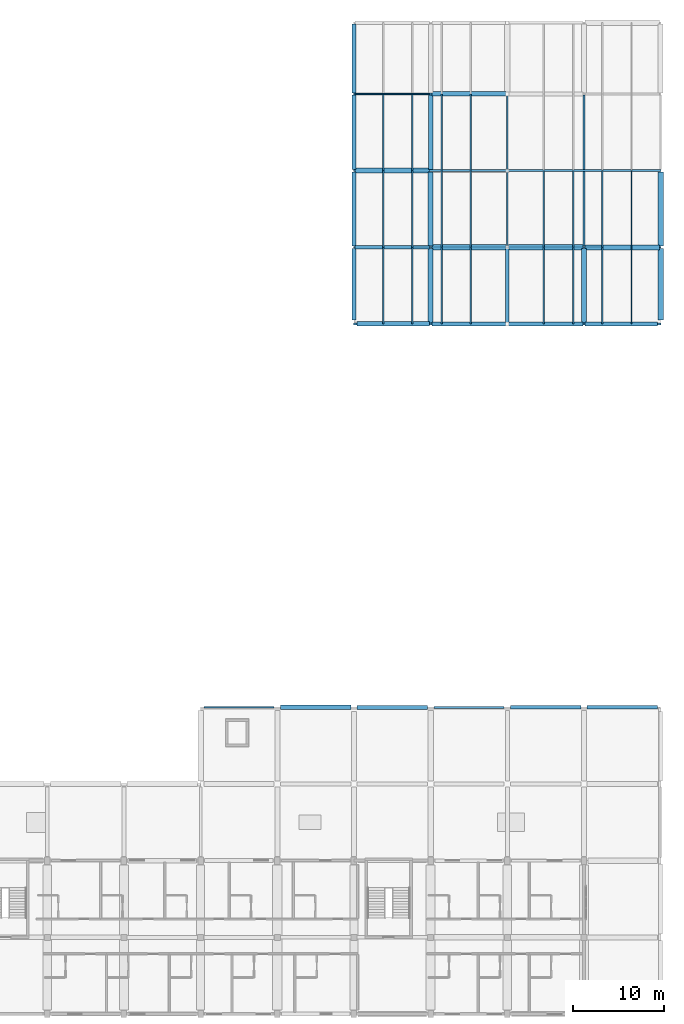
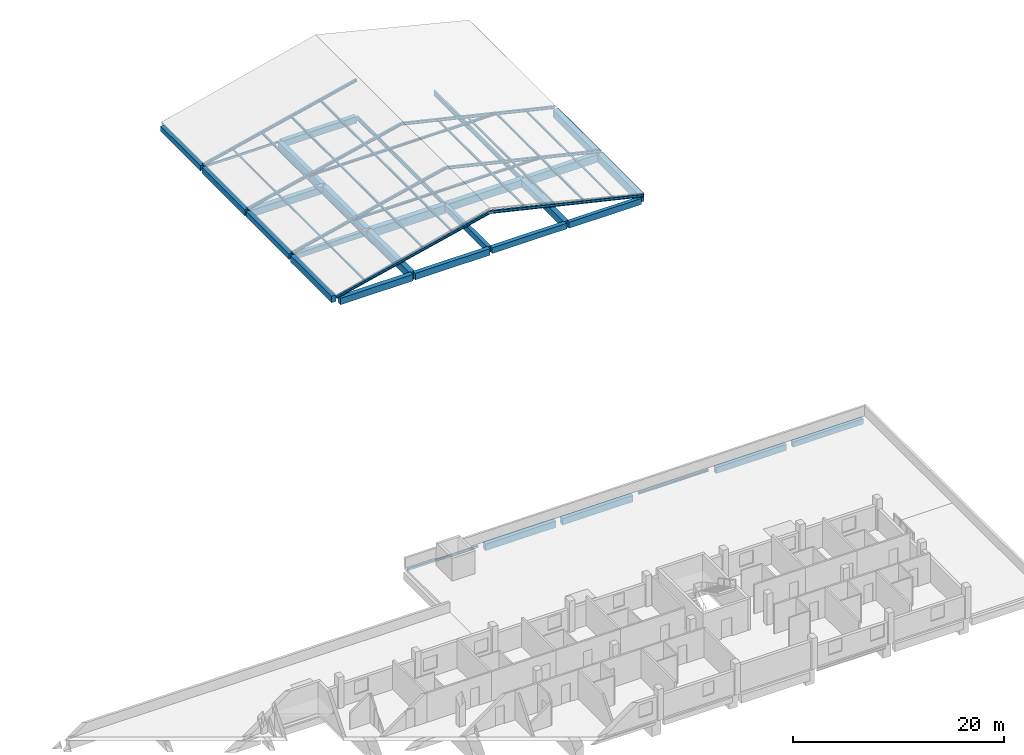
# One storey, part 10 of 42: 30 beams, 29 members.
"""IFC4 building model written with IfcOpenShell, lengths in metres."""

import ifcopenshell
import ifcopenshell.guid

model = None  # the IFC model being written
_history = None  # IfcOwnerHistory: only IFC2X3 demands one
_inside = {}  # id of a spatial element -> (the spatial element, [elements in it])
_under = {}  # id of a project, library or spatial element -> (it, [spatial elements below it])
_declared = {}  # id of a project -> (the project, [libraries it declares])
_typed = {}  # id of a type object -> (the type object, [elements of that type])
_made_of = {}  # id of a material, layer set ... -> (it, [elements and type objects made of it])


def new_model(schema):
    """Start an empty IFC model of exactly this schema.

    Asked for "IFC4X3", IfcOpenShell would pick the latest addendum, in which some entities
    have other attributes; the version numbers below select the first issue.
    IFC2X3 requires an IfcOwnerHistory on every rooted entity: one is made here for all.
    """
    global model, _history
    if schema == "IFC4X3":
        model = ifcopenshell.file(schema_version=(4, 3, 0, 0))
    else:
        model = ifcopenshell.file(schema=schema)
    _inside.clear()
    _under.clear()
    _declared.clear()
    _typed.clear()
    _made_of.clear()
    _history = None
    if model.schema == "IFC2X3":
        org = make("IfcOrganization", Name="unknown")
        user = make(
            "IfcPersonAndOrganization",
            ThePerson=make("IfcPerson", FamilyName="unknown"),
            TheOrganization=org,
        )
        app = make(
            "IfcApplication",
            ApplicationDeveloper=org,
            Version="unknown",
            ApplicationFullName="unknown",
            ApplicationIdentifier="unknown",
        )
        _history = make(
            "IfcOwnerHistory",
            OwningUser=user,
            OwningApplication=app,
            ChangeAction="ADDED",
            CreationDate=0,
        )
    return model


def make(cls, **values):
    """One entity of the class cls with the attributes given. An attribute that is None is left unset."""
    return model.create_entity(
        cls, **{name: value for name, value in values.items() if value is not None}
    )


def rooted(cls, **values):
    """An entity with a GlobalId (a new one), such as an element, a storey or a relation."""
    return make(cls, GlobalId=ifcopenshell.guid.new(), OwnerHistory=_history, **values)


def si_unit(unit_type, name, prefix=None):
    """IfcSIUnit, for example si_unit("LENGTHUNIT", "METRE", prefix="MILLI")."""
    return make("IfcSIUnit", UnitType=unit_type, Prefix=prefix, Name=name)


def derived_unit(unit_type, elements):
    """IfcDerivedUnit: a product of units, each with its exponent."""
    return make(
        "IfcDerivedUnit",
        Elements=[
            make("IfcDerivedUnitElement", Unit=unit, Exponent=power)
            for unit, power in elements
        ],
        UnitType=unit_type,
    )


def assignment(units):
    """IfcUnitAssignment: the units of a project."""
    return None if units is None else make("IfcUnitAssignment", Units=units)


def point(xyz):
    """IfcCartesianPoint."""
    return None if xyz is None else make("IfcCartesianPoint", Coordinates=xyz)


def direction(xyz):
    """IfcDirection."""
    return None if xyz is None else make("IfcDirection", DirectionRatios=xyz)


def frame(location, z_axis=None, x_axis=None):
    """IfcAxis2Placement3D, a coordinate frame: its origin and axes. An axis left out is left unset."""
    return make(
        "IfcAxis2Placement3D",
        Location=point(location),
        Axis=direction(z_axis),
        RefDirection=direction(x_axis),
    )


def frame_2d(location, x_axis=None):
    """IfcAxis2Placement2D, a coordinate frame in the plane: its origin and x axis."""
    return make(
        "IfcAxis2Placement2D", Location=point(location), RefDirection=direction(x_axis)
    )


def origin():
    """The frame at (0, 0, 0) with its axes left unset."""
    return frame((0.0, 0.0, 0.0))


def origin_2d():
    """The frame at (0, 0) in the plane with its x axis left unset."""
    return frame_2d((0.0, 0.0))


def place(relative_to, where):
    """IfcLocalPlacement: puts the frame where relative to a parent placement (None: the world)."""
    return make(
        "IfcLocalPlacement", PlacementRelTo=relative_to, RelativePlacement=where
    )


def context(
    kind, dimensions, precision=None, world=None, true_north=None, identifier=None
):
    """IfcGeometricRepresentationContext, for example the 3D "Model" context."""
    return make(
        "IfcGeometricRepresentationContext",
        ContextIdentifier=identifier,
        ContextType=kind,
        CoordinateSpaceDimension=dimensions,
        Precision=precision,
        WorldCoordinateSystem=world,
        TrueNorth=true_north,
    )


def subcontext(parent, identifier, kind, view, scale=None):
    """IfcGeometricRepresentationSubContext, for example "Body" below "Model"."""
    return make(
        "IfcGeometricRepresentationSubContext",
        ContextIdentifier=identifier,
        ContextType=kind,
        ParentContext=parent,
        TargetScale=scale,
        TargetView=view,
    )


def project(units=None, contexts=None):
    """IfcProject with its units and contexts."""
    return rooted(
        "IfcProject",
        Name="project",
        RepresentationContexts=contexts,
        UnitsInContext=assignment(units),
    )


def spatial(cls, under=None, at=None, **own):
    """A site, building, storey or space (cls), placed at a placement, below another one or the project."""
    s = rooted(cls, ObjectPlacement=at, **own)
    if under is not None:
        _under.setdefault(under.id(), (under, []))[1].append(s)
    return s


def profile(cls, at=None, kind="AREA", **sizes):
    """A parametric profile (cls). Its sizes go by their IFC names, for example OverallWidth=200.0."""
    return make(cls, ProfileType=kind, Position=at, **sizes)


def rectangle(**sizes):
    """IfcRectangleProfileDef."""
    return profile("IfcRectangleProfileDef", **sizes)


def hollow_rectangle(**sizes):
    """IfcRectangleHollowProfileDef."""
    return profile("IfcRectangleHollowProfileDef", **sizes)


def i_section(**sizes):
    """IfcIShapeProfileDef."""
    return profile("IfcIShapeProfileDef", **sizes)


def extrude(swept, where, along, depth):
    """IfcExtrudedAreaSolid: the profile swept, set in the frame where, extruded along a direction by depth."""
    return make(
        "IfcExtrudedAreaSolid",
        SweptArea=swept,
        Position=where,
        ExtrudedDirection=direction(along),
        Depth=depth,
    )


def shape(context_of_items, identifier, shape_type, items):
    """IfcShapeRepresentation: the items that make up one representation, for example the "Body"."""
    return make(
        "IfcShapeRepresentation",
        ContextOfItems=context_of_items,
        RepresentationIdentifier=identifier,
        RepresentationType=shape_type,
        Items=items,
    )


def material(Name=None, Category=None):
    """IfcMaterial."""
    return make("IfcMaterial", Name=Name, Category=Category)


def material_profile(
    of_material, cross_section, Name=None, Category=None, Priority=None
):
    """IfcMaterialProfile: a cross section and its material."""
    return make(
        "IfcMaterialProfile",
        Name=Name,
        Material=of_material,
        Profile=cross_section,
        Priority=Priority,
        Category=Category,
    )


def profile_set(profiles, Name=None, composite=None):
    """IfcMaterialProfileSet."""
    return make(
        "IfcMaterialProfileSet",
        Name=Name,
        MaterialProfiles=profiles,
        CompositeProfile=composite,
    )


def made_of(thing, what):
    """Note that an element or type object is made of a material, layer set ...; save() writes the relation."""
    if what is not None:
        _made_of.setdefault(what.id(), (what, []))[1].append(thing)
    return thing


def type_object(cls, material=None, **own):
    """A type object (cls), such as IfcWallType, which elements share."""
    return made_of(rooted(cls, **own), material)


def element(
    cls,
    number,
    at=None,
    inside=None,
    cuts=None,
    type_object=None,
    material=None,
    context=None,
    identifier="Body",
    shape_type=None,
    held_by="IfcProductDefinitionShape",
    body=None,
    shapes=None,
    **own,
):
    """One element of the class cls, such as IfcWall. Its Tag is "e" and its number.

    at: its placement. inside: the storey or other place that contains it. cuts: it is an
    opening in that element (IfcRelVoidsElement). A single representation is given by context,
    identifier, shape_type and body (its items); several are given by shapes. held_by: the class
    of the entity that holds the representations. save() writes the other relations.
    """
    e = rooted(cls, Tag="e%d" % number, ObjectPlacement=at, **own)
    if body is not None:
        shapes = [shape(context, identifier, shape_type, body)]
    if shapes is not None:
        e.Representation = make(held_by, Representations=shapes)
    if inside is not None:
        _inside.setdefault(inside.id(), (inside, []))[1].append(e)
    if cuts is not None:
        rooted(
            "IfcRelVoidsElement", RelatingBuildingElement=cuts, RelatedOpeningElement=e
        )
    if type_object is not None:
        _typed.setdefault(type_object.id(), (type_object, []))[1].append(e)
    return made_of(e, material)


def aggregate(whole, parts):
    """IfcRelAggregates: a whole, such as a stair, and the parts it consists of."""
    return rooted("IfcRelAggregates", RelatingObject=whole, RelatedObjects=parts)


def save(model, path):
    """Write the relations noted so far, then the file.

    IfcRelAggregates (storeys below a building ...), IfcRelContainedInSpatialStructure (elements
    in a storey), IfcRelDefinesByType, IfcRelAssociatesMaterial and IfcRelDeclares: one each for
    every whole, place, type object, material and project.
    """
    for whole, parts in _under.values():
        aggregate(whole, parts)
    for where, things in _inside.values():
        rooted(
            "IfcRelContainedInSpatialStructure",
            RelatedElements=things,
            RelatingStructure=where,
        )
    for kind, things in _typed.values():
        rooted("IfcRelDefinesByType", RelatedObjects=things, RelatingType=kind)
    for what, things in _made_of.values():
        rooted("IfcRelAssociatesMaterial", RelatedObjects=things, RelatingMaterial=what)
    for by, libraries in _declared.values():
        rooted("IfcRelDeclares", RelatingContext=by, RelatedDefinitions=libraries)
    model.write(path)


model = new_model("IFC4")

# Units and contexts
model_context = context("Model", 3, precision=1e-05, world=origin(), true_north=direction((0.0, 1.0)))
body_context = subcontext(model_context, "Body", "Model", "MODEL_VIEW")
ifc_project = project(units=[si_unit("LENGTHUNIT", "METRE"), si_unit("AREAUNIT", "SQUARE_METRE"), si_unit("VOLUMEUNIT", "CUBIC_METRE"), si_unit("PLANEANGLEUNIT", "RADIAN"), si_unit("MASSUNIT", "GRAM", prefix="KILO"), derived_unit("THERMALTRANSMITTANCEUNIT", [(si_unit("POWERUNIT", "WATT"), 1), (si_unit("LENGTHUNIT", "METRE"), -2), (si_unit("THERMODYNAMICTEMPERATUREUNIT", "KELVIN"), -1)])], contexts=[model_context])

# Site, building, storey
site_placement = place(None, origin())
site = spatial("IfcSite", under=ifc_project, at=site_placement, CompositionType="ELEMENT")
building_placement = place(site_placement, origin())
building = spatial("IfcBuilding", under=site, at=building_placement, Name="Barrovel Congress Hotel", CompositionType="ELEMENT")
storey_placement = place(building_placement, frame((0.0, 0.0, 18.300048828125)))
storey = spatial("IfcBuildingStorey", under=building, at=storey_placement, Name="L04", CompositionType="ELEMENT", Elevation=18.300048828125)

# Beams
ifc_material_1 = material(Name="Concrete C40", Category="concrete")
ifc_material_profile_1 = material_profile(ifc_material_1, rectangle(XDim=0.39990234375, YDim=0.60009765625, at=origin_2d()), Name="RC400x600")
ifc_profile_set_1 = profile_set([ifc_material_profile_1], Name="Concrete C40")
beam_type_1 = type_object("IfcBeamType", Name="BM-RC400x600", PredefinedType="BEAM", material=ifc_profile_set_1)
beam_1_placement = place(storey_placement, frame((168.35009765625, 37.800048828125, -0.60009765625), z_axis=(1.0, 0.0, 0.0), x_axis=(0.0, 1.0, 0.0)))
element("IfcBeam", 1, at=beam_1_placement, inside=storey, type_object=beam_type_1, Name="BMX:L04:37.8:168.0-176.4", PredefinedType="BEAM", context=body_context, shape_type="SweptSolid", body=[
    extrude(rectangle(XDim=0.39990234375, YDim=0.60009765625, at=origin_2d()), origin(), (0.0, 0.0, 1.0), 7.699951171875),
])
beam_2_placement = place(storey_placement, frame((142.927001953125, 88.199951171875, -0.60009765625), z_axis=(1.0, 0.0, 0.0), x_axis=(0.0, 1.0, 0.0)))
element("IfcBeam", 2, at=beam_2_placement, inside=storey, type_object=beam_type_1, Name="BMX:L04:88.2:142.8-151.2", PredefinedType="BEAM", context=body_context, shape_type="SweptSolid", body=[
    extrude(rectangle(XDim=0.39990234375, YDim=0.60009765625, at=origin_2d()), origin(), (0.0, 0.0, 1.0), 8.14599609375),
])
beam_3_placement = place(storey_placement, frame((142.800048828125, 105.126953125, -0.60009765625), z_axis=(0.0, 1.0, 0.0), x_axis=(-1.0, 0.0, 0.0)))
element("IfcBeam", 3, at=beam_3_placement, inside=storey, type_object=beam_type_1, Name="BMY:L04:142.8:105.0-112.8", PredefinedType="BEAM", context=body_context, shape_type="SweptSolid", body=[
    extrude(rectangle(XDim=0.39990234375, YDim=0.60009765625, at=origin_2d()), origin(), (0.0, 0.0, 1.0), 7.546142578125),
])
ifc_material_profile_2 = material_profile(ifc_material_1, rectangle(XDim=0.39990234375, YDim=0.699951171875, at=origin_2d()), Name="RC400x700")
ifc_profile_set_2 = profile_set([ifc_material_profile_2], Name="Concrete C40")
beam_type_2 = type_object("IfcBeamType", Name="BM-RC400x700", PredefinedType="BEAM", material=ifc_profile_set_2)
beam_4_placement = place(storey_placement, frame((159.949951171875, 37.800048828125, -0.650146484375), z_axis=(1.0, 0.0, 0.0), x_axis=(0.0, 1.0, 0.0)))
element("IfcBeam", 4, at=beam_4_placement, inside=storey, type_object=beam_type_2, Name="BMX:L04:37.8:159.6-168.0", PredefinedType="BEAM", context=body_context, shape_type="SweptSolid", body=[
    extrude(rectangle(XDim=0.39990234375, YDim=0.699951171875, at=origin_2d()), origin(), (0.0, 0.0, 1.0), 7.699951171875),
])
beam_5_placement = place(storey_placement, frame((168.126953125, 79.800048828125, -0.650146484375), z_axis=(1.0, 0.0, 0.0), x_axis=(0.0, 1.0, 0.0)))
element("IfcBeam", 5, at=beam_5_placement, inside=storey, type_object=beam_type_2, Name="BMX:L04:79.8:168.0-176.4", PredefinedType="BEAM", context=body_context, shape_type="SweptSolid", body=[
    extrude(rectangle(XDim=0.39990234375, YDim=0.699951171875, at=origin_2d()), origin(), (0.0, 0.0, 1.0), 7.923095703125),
])
for number, where, z_axis, x_axis, name in (
    (6, (142.800048828125, 96.72705078125, -0.650146484375), (0.0, 1.0, 0.0), (-1.0, 0.0, 0.0), "BMY:L04:142.8:96.6-105.0"),
    (7, (159.60009765625, 79.927001953125, -0.650146484375), (0.0, 1.0, 0.0), (-1.0, 0.0, 0.0), "BMY:L04:159.6:79.8-88.2"),
):
    element("IfcBeam", number, at=place(storey_placement, frame(where, z_axis=z_axis, x_axis=x_axis)), inside=storey, type_object=beam_type_2, Name=name, PredefinedType="BEAM", context=body_context, shape_type="SweptSolid", body=[
        extrude(rectangle(XDim=0.39990234375, YDim=0.699951171875, at=origin_2d()), origin(), (0.0, 0.0, 1.0), 8.14599609375),
    ])
ifc_material_profile_3 = material_profile(ifc_material_1, rectangle(XDim=0.449951171875, YDim=0.64990234375, at=origin_2d()), Name="RC450x650")
ifc_profile_set_3 = profile_set([ifc_material_profile_3], Name="Concrete C40")
beam_type_3 = type_object("IfcBeamType", Name="BM-RC450x650", PredefinedType="BEAM", material=ifc_profile_set_3)
for number, where, z_axis, x_axis, name in (
    (8, (159.72705078125, 79.800048828125, -0.625), (1.0, 0.0, 0.0), (0.0, 1.0, 0.0), "BMX:L04:79.8:159.6-168.0"),
    (9, (142.800048828125, 88.326904296875, -0.625), (0.0, 1.0, 0.0), (-1.0, 0.0, 0.0), "BMY:L04:142.8:88.2-96.6"),
):
    element("IfcBeam", number, at=place(storey_placement, frame(where, z_axis=z_axis, x_axis=x_axis)), inside=storey, type_object=beam_type_3, Name=name, PredefinedType="BEAM", context=body_context, shape_type="SweptSolid", body=[
        extrude(rectangle(XDim=0.449951171875, YDim=0.64990234375, at=origin_2d()), origin(), (0.0, 0.0, 1.0), 8.14599609375),
    ])
ifc_material_profile_4 = material_profile(ifc_material_1, rectangle(XDim=0.449951171875, YDim=0.75, at=origin_2d()), Name="RC450x750")
ifc_profile_set_4 = profile_set([ifc_material_profile_4], Name="Concrete C40")
beam_type_4 = type_object("IfcBeamType", Name="BM-RC450x750", PredefinedType="BEAM", material=ifc_profile_set_4)
beam_6_placement = place(storey_placement, frame((143.14990234375, 37.800048828125, -0.675048828125), z_axis=(1.0, 0.0, 0.0), x_axis=(0.0, 1.0, 0.0)))
element("IfcBeam", 10, at=beam_6_placement, inside=storey, type_object=beam_type_4, Name="BMX:L04:37.8:142.8-151.2", PredefinedType="BEAM", context=body_context, shape_type="SweptSolid", body=[
    extrude(rectangle(XDim=0.449951171875, YDim=0.75, at=origin_2d()), origin(), (0.0, 0.0, 1.0), 7.7001953125),
])
beam_7_placement = place(storey_placement, frame((151.326904296875, 79.800048828125, -0.675048828125), z_axis=(1.0, 0.0, 0.0), x_axis=(0.0, 1.0, 0.0)))
element("IfcBeam", 11, at=beam_7_placement, inside=storey, type_object=beam_type_4, Name="BMX:L04:79.8:151.2-159.6", PredefinedType="BEAM", context=body_context, shape_type="SweptSolid", body=[
    extrude(rectangle(XDim=0.449951171875, YDim=0.75, at=origin_2d()), origin(), (0.0, 0.0, 1.0), 8.14599609375),
])
beam_8_placement = place(storey_placement, frame((142.800048828125, 80.25, -0.675048828125), z_axis=(0.0, 1.0, 0.0), x_axis=(-1.0, 0.0, 0.0)))
element("IfcBeam", 12, at=beam_8_placement, inside=storey, type_object=beam_type_4, Name="BMY:L04:142.8:79.8-88.2", PredefinedType="BEAM", context=body_context, shape_type="SweptSolid", body=[
    extrude(rectangle(XDim=0.449951171875, YDim=0.75, at=origin_2d()), origin(), (0.0, 0.0, 1.0), 7.822998046875),
])
ifc_material_profile_5 = material_profile(ifc_material_1, rectangle(XDim=0.5, YDim=0.75, at=origin_2d()), Name="RC500x750")
ifc_profile_set_5 = profile_set([ifc_material_profile_5], Name="Concrete C40")
beam_type_5 = type_object("IfcBeamType", Name="BM-RC500x750", PredefinedType="BEAM", material=ifc_profile_set_5)
beam_9_placement = place(storey_placement, frame((134.75, 37.800048828125, -0.675048828125), z_axis=(1.0, 0.0, 0.0), x_axis=(0.0, 1.0, 0.0)))
element("IfcBeam", 13, at=beam_9_placement, inside=storey, type_object=beam_type_5, Name="BMX:L04:37.8:134.4-142.8", PredefinedType="BEAM", context=body_context, shape_type="SweptSolid", body=[
    extrude(rectangle(XDim=0.5, YDim=0.75, at=origin_2d()), origin(), (0.0, 0.0, 1.0), 7.699951171875),
])
beam_10_placement = place(storey_placement, frame((143.14990234375, 79.800048828125, -0.675048828125), z_axis=(1.0, 0.0, 0.0), x_axis=(0.0, 1.0, 0.0)))
element("IfcBeam", 14, at=beam_10_placement, inside=storey, type_object=beam_type_5, Name="BMX:L04:79.8:142.8-151.2", PredefinedType="BEAM", context=body_context, shape_type="SweptSolid", body=[
    extrude(rectangle(XDim=0.5, YDim=0.75, at=origin_2d()), origin(), (0.0, 0.0, 1.0), 7.923095703125),
])
beam_11_placement = place(storey_placement, frame((151.326904296875, 105.0, -0.675048828125), z_axis=(1.0, 0.0, 0.0), x_axis=(0.0, 1.0, 0.0)))
element("IfcBeam", 15, at=beam_11_placement, inside=storey, type_object=beam_type_5, Name="BMX:L04:105.0:151.2-159.6", PredefinedType="BEAM", context=body_context, shape_type="SweptSolid", body=[
    extrude(rectangle(XDim=0.5, YDim=0.75, at=origin_2d()), origin(), (0.0, 0.0, 1.0), 8.14599609375),
])
ifc_material_profile_6 = material_profile(ifc_material_1, rectangle(XDim=0.5, YDim=0.85009765625, at=origin_2d()), Name="RC500x850")
ifc_profile_set_6 = profile_set([ifc_material_profile_6], Name="Concrete C40")
beam_type_6 = type_object("IfcBeamType", Name="BM-RC500x850", PredefinedType="BEAM", material=ifc_profile_set_6)
beam_12_placement = place(storey_placement, frame((151.199951171875, 96.72705078125, -0.72509765625), z_axis=(0.0, 1.0, 0.0), x_axis=(-1.0, 0.0, 0.0)))
element("IfcBeam", 16, at=beam_12_placement, inside=storey, type_object=beam_type_6, Name="BMY:L04:151.2:96.6-105.0", PredefinedType="BEAM", context=body_context, shape_type="SweptSolid", body=[
    extrude(rectangle(XDim=0.5, YDim=0.85009765625, at=origin_2d()), origin(), (0.0, 0.0, 1.0), 8.14599609375),
])
ifc_material_profile_7 = material_profile(ifc_material_1, rectangle(XDim=0.550048828125, YDim=0.800048828125, at=origin_2d()), Name="RC550x800")
ifc_profile_set_7 = profile_set([ifc_material_profile_7], Name="Concrete C40")
beam_type_7 = type_object("IfcBeamType", Name="BM-RC550x800", PredefinedType="BEAM", material=ifc_profile_set_7)
for number, where, z_axis, x_axis, name in (
    (17, (142.927001953125, 96.60009765625, -0.699951171875), (1.0, 0.0, 0.0), (0.0, 1.0, 0.0), "BMX:L04:96.6:142.8-151.2"),
    (18, (151.199951171875, 88.326904296875, -0.699951171875), (0.0, 1.0, 0.0), (-1.0, 0.0, 0.0), "BMY:L04:151.2:88.2-96.6"),
    (19, (168.0, 79.927001953125, -0.699951171875), (0.0, 1.0, 0.0), (-1.0, 0.0, 0.0), "BMY:L04:168.0:79.8-88.2"),
):
    element("IfcBeam", number, at=place(storey_placement, frame(where, z_axis=z_axis, x_axis=x_axis)), inside=storey, type_object=beam_type_7, Name=name, PredefinedType="BEAM", context=body_context, shape_type="SweptSolid", body=[
        extrude(rectangle(XDim=0.550048828125, YDim=0.800048828125, at=origin_2d()), origin(), (0.0, 0.0, 1.0), 8.14599609375),
    ])
ifc_material_profile_8 = material_profile(ifc_material_1, rectangle(XDim=0.550048828125, YDim=0.89990234375, at=origin_2d()), Name="RC550x900")
ifc_profile_set_8 = profile_set([ifc_material_profile_8], Name="Concrete C40")
beam_type_8 = type_object("IfcBeamType", Name="BM-RC550x900", PredefinedType="BEAM", material=ifc_profile_set_8)
for number, where, z_axis, x_axis, name in (
    (20, (168.126953125, 88.199951171875, -0.75), (1.0, 0.0, 0.0), (0.0, 1.0, 0.0), "BMX:L04:88.2:168.0-176.4"),
    (21, (151.199951171875, 79.927001953125, -0.75), (0.0, 1.0, 0.0), (-1.0, 0.0, 0.0), "BMY:L04:151.2:79.8-88.2"),
):
    element("IfcBeam", number, at=place(storey_placement, frame(where, z_axis=z_axis, x_axis=x_axis)), inside=storey, type_object=beam_type_8, Name=name, PredefinedType="BEAM", context=body_context, shape_type="SweptSolid", body=[
        extrude(rectangle(XDim=0.550048828125, YDim=0.89990234375, at=origin_2d()), origin(), (0.0, 0.0, 1.0), 8.14599609375),
    ])
ifc_material_profile_9 = material_profile(ifc_material_1, rectangle(XDim=0.60009765625, YDim=0.85009765625, at=origin_2d()), Name="RC600x850")
ifc_profile_set_9 = profile_set([ifc_material_profile_9], Name="Concrete C40")
beam_type_9 = type_object("IfcBeamType", Name="BM-RC600x850", PredefinedType="BEAM", material=ifc_profile_set_9)
for number, where, z_axis, x_axis, name in (
    (22, (159.72705078125, 88.199951171875, -0.72509765625), (1.0, 0.0, 0.0), (0.0, 1.0, 0.0), "BMX:L04:88.2:159.6-168.0"),
    (23, (176.39990234375, 88.326904296875, -0.72509765625), (0.0, 1.0, 0.0), (-1.0, 0.0, 0.0), "BMY:L04:176.4:88.2-96.6"),
):
    element("IfcBeam", number, at=place(storey_placement, frame(where, z_axis=z_axis, x_axis=x_axis)), inside=storey, type_object=beam_type_9, Name=name, PredefinedType="BEAM", context=body_context, shape_type="SweptSolid", body=[
        extrude(rectangle(XDim=0.60009765625, YDim=0.85009765625, at=origin_2d()), origin(), (0.0, 0.0, 1.0), 8.14599609375),
    ])
ifc_material_profile_10 = material_profile(ifc_material_1, rectangle(XDim=0.60009765625, YDim=0.949951171875, at=origin_2d()), Name="RC600x950")
ifc_profile_set_10 = profile_set([ifc_material_profile_10], Name="Concrete C40")
beam_type_10 = type_object("IfcBeamType", Name="BM-RC600x950", PredefinedType="BEAM", material=ifc_profile_set_10)
beam_13_placement = place(storey_placement, frame((151.326904296875, 88.199951171875, -0.775146484375), z_axis=(1.0, 0.0, 0.0), x_axis=(0.0, 1.0, 0.0)))
element("IfcBeam", 24, at=beam_13_placement, inside=storey, type_object=beam_type_10, Name="BMX:L04:88.2:151.2-159.6", PredefinedType="BEAM", context=body_context, shape_type="SweptSolid", body=[
    extrude(rectangle(XDim=0.60009765625, YDim=0.949951171875, at=origin_2d()), origin(), (0.0, 0.0, 1.0), 8.14599609375),
])
beam_14_placement = place(storey_placement, frame((176.39990234375, 80.25, -0.775146484375), z_axis=(0.0, 1.0, 0.0), x_axis=(-1.0, 0.0, 0.0)))
element("IfcBeam", 25, at=beam_14_placement, inside=storey, type_object=beam_type_10, Name="BMY:L04:176.4:79.8-88.2", PredefinedType="BEAM", context=body_context, shape_type="SweptSolid", body=[
    extrude(rectangle(XDim=0.60009765625, YDim=0.949951171875, at=origin_2d()), origin(), (0.0, 0.0, 1.0), 7.822998046875),
])

# Members
ifc_material_2 = material(Name="Steel ASTM A992 Grade 50", Category="steel")
ifc_material_profile_11 = material_profile(ifc_material_2, i_section(OverallWidth=0.152099609375, OverallDepth=0.152099609375, WebThickness=0.005859375, FlangeThickness=0.006591796875, FilletRadius=0.009033203125, at=origin_2d()), Name="W150x22.5")
ifc_profile_set_11 = profile_set([ifc_material_profile_11], Name="Steel ASTM A992 Grade 50")
member_type_1 = type_object("IfcMemberType", Name="MEM-W150x22.5", PredefinedType="STRINGER", material=ifc_profile_set_11)
member_1_placement = place(storey_placement, frame((146.0, 79.800048828125, 0.572021484375), z_axis=(0.0, 1.0, 0.0), x_axis=(-1.0, 0.0, 0.0)))
element("IfcMember", 26, at=member_1_placement, inside=storey, type_object=member_type_1, Name="V3-PUR:146.0:79.8", PredefinedType="STRINGER", context=body_context, shape_type="SweptSolid", body=[
    extrude(i_section(OverallWidth=0.152099609375, OverallDepth=0.152099609375, WebThickness=0.005859375, FlangeThickness=0.006591796875, FilletRadius=0.009033203125, at=origin_2d()), origin(), (0.0, 0.0, 1.0), 8.39990234375),
])
member_2_placement = place(storey_placement, frame((146.0, 88.199951171875, 0.572021484375), z_axis=(0.0, 1.0, 0.0), x_axis=(-1.0, 0.0, 0.0)))
element("IfcMember", 27, at=member_2_placement, inside=storey, type_object=member_type_1, Name="V3-PUR:146.0:88.2", PredefinedType="STRINGER", context=body_context, shape_type="SweptSolid", body=[
    extrude(i_section(OverallWidth=0.152099609375, OverallDepth=0.152099609375, WebThickness=0.005859375, FlangeThickness=0.006591796875, FilletRadius=0.009033203125, at=origin_2d()), origin(), (0.0, 0.0, 1.0), 8.400146484375),
])
for number, where, z_axis, x_axis, name in (
    (28, (146.0, 96.60009765625, 0.572021484375), (0.0, 1.0, 0.0), (-1.0, 0.0, 0.0), "V3-PUR:146.0:96.6"),
    (29, (173.199951171875, 79.800048828125, 0.572021484375), (0.0, 1.0, 0.0), (-1.0, 0.0, 0.0), "V3-PUR:173.2:79.8"),
):
    element("IfcMember", number, at=place(storey_placement, frame(where, z_axis=z_axis, x_axis=x_axis)), inside=storey, type_object=member_type_1, Name=name, PredefinedType="STRINGER", context=body_context, shape_type="SweptSolid", body=[
        extrude(i_section(OverallWidth=0.152099609375, OverallDepth=0.152099609375, WebThickness=0.005859375, FlangeThickness=0.006591796875, FilletRadius=0.009033203125, at=origin_2d()), origin(), (0.0, 0.0, 1.0), 8.39990234375),
    ])
member_3_placement = place(storey_placement, frame((173.199951171875, 88.199951171875, 0.572021484375), z_axis=(0.0, 1.0, 0.0), x_axis=(-1.0, 0.0, 0.0)))
element("IfcMember", 30, at=member_3_placement, inside=storey, type_object=member_type_1, Name="V3-PUR:173.2:88.2", PredefinedType="STRINGER", context=body_context, shape_type="SweptSolid", body=[
    extrude(i_section(OverallWidth=0.152099609375, OverallDepth=0.152099609375, WebThickness=0.005859375, FlangeThickness=0.006591796875, FilletRadius=0.009033203125, at=origin_2d()), origin(), (0.0, 0.0, 1.0), 8.400146484375),
])
ifc_material_profile_12 = material_profile(ifc_material_2, i_section(OverallWidth=0.166015625, OverallDepth=0.205078125, WebThickness=0.007080078125, FlangeThickness=0.01171875, FilletRadius=0.010009765625, at=origin_2d()), Name="W200x42")
ifc_profile_set_12 = profile_set([ifc_material_profile_12], Name="Steel ASTM A992 Grade 50")
member_type_2 = type_object("IfcMemberType", Name="MEM-W200x42", PredefinedType="PURLIN", material=ifc_profile_set_12)
member_4_placement = place(storey_placement, frame((149.199951171875, 79.800048828125, 1.32421875), z_axis=(0.0, 1.0, 0.0), x_axis=(-1.0, 0.0, 0.0)))
element("IfcMember", 31, at=member_4_placement, inside=storey, type_object=member_type_2, Name="V3-PUR:149.2:79.8", PredefinedType="PURLIN", context=body_context, shape_type="SweptSolid", body=[
    extrude(i_section(OverallWidth=0.166015625, OverallDepth=0.205078125, WebThickness=0.007080078125, FlangeThickness=0.01171875, FilletRadius=0.010009765625, at=origin_2d()), origin(), (0.0, 0.0, 1.0), 8.39990234375),
])
member_5_placement = place(storey_placement, frame((149.199951171875, 88.199951171875, 1.32421875), z_axis=(0.0, 1.0, 0.0), x_axis=(-1.0, 0.0, 0.0)))
element("IfcMember", 32, at=member_5_placement, inside=storey, type_object=member_type_2, Name="V3-PUR:149.2:88.2", PredefinedType="PURLIN", context=body_context, shape_type="SweptSolid", body=[
    extrude(i_section(OverallWidth=0.166015625, OverallDepth=0.205078125, WebThickness=0.007080078125, FlangeThickness=0.01171875, FilletRadius=0.010009765625, at=origin_2d()), origin(), (0.0, 0.0, 1.0), 8.400146484375),
])
for number, where, z_axis, x_axis, name in (
    (33, (149.199951171875, 96.60009765625, 1.32421875), (0.0, 1.0, 0.0), (-1.0, 0.0, 0.0), "V3-PUR:149.2:96.6"),
    (34, (152.39990234375, 79.800048828125, 2.076416015625), (0.0, 1.0, 0.0), (-1.0, 0.0, 0.0), "V3-PUR:152.4:79.8"),
):
    element("IfcMember", number, at=place(storey_placement, frame(where, z_axis=z_axis, x_axis=x_axis)), inside=storey, type_object=member_type_2, Name=name, PredefinedType="PURLIN", context=body_context, shape_type="SweptSolid", body=[
        extrude(i_section(OverallWidth=0.166015625, OverallDepth=0.205078125, WebThickness=0.007080078125, FlangeThickness=0.01171875, FilletRadius=0.010009765625, at=origin_2d()), origin(), (0.0, 0.0, 1.0), 8.39990234375),
    ])
member_6_placement = place(storey_placement, frame((152.39990234375, 88.199951171875, 2.076416015625), z_axis=(0.0, 1.0, 0.0), x_axis=(-1.0, 0.0, 0.0)))
element("IfcMember", 35, at=member_6_placement, inside=storey, type_object=member_type_2, Name="V3-PUR:152.4:88.2", PredefinedType="PURLIN", context=body_context, shape_type="SweptSolid", body=[
    extrude(i_section(OverallWidth=0.166015625, OverallDepth=0.205078125, WebThickness=0.007080078125, FlangeThickness=0.01171875, FilletRadius=0.010009765625, at=origin_2d()), origin(), (0.0, 0.0, 1.0), 8.400146484375),
])
for number, where, z_axis, x_axis, name in (
    (36, (152.39990234375, 96.60009765625, 2.076416015625), (0.0, 1.0, 0.0), (-1.0, 0.0, 0.0), "V3-PUR:152.4:96.6"),
    (37, (155.60009765625, 79.800048828125, 2.828369140625), (0.0, 1.0, 0.0), (-1.0, 0.0, 0.0), "V3-PUR:155.6:79.8"),
):
    element("IfcMember", number, at=place(storey_placement, frame(where, z_axis=z_axis, x_axis=x_axis)), inside=storey, type_object=member_type_2, Name=name, PredefinedType="PURLIN", context=body_context, shape_type="SweptSolid", body=[
        extrude(i_section(OverallWidth=0.166015625, OverallDepth=0.205078125, WebThickness=0.007080078125, FlangeThickness=0.01171875, FilletRadius=0.010009765625, at=origin_2d()), origin(), (0.0, 0.0, 1.0), 8.39990234375),
    ])
member_7_placement = place(storey_placement, frame((155.60009765625, 88.199951171875, 2.828369140625), z_axis=(0.0, 1.0, 0.0), x_axis=(-1.0, 0.0, 0.0)))
element("IfcMember", 38, at=member_7_placement, inside=storey, type_object=member_type_2, Name="V3-PUR:155.6:88.2", PredefinedType="PURLIN", context=body_context, shape_type="SweptSolid", body=[
    extrude(i_section(OverallWidth=0.166015625, OverallDepth=0.205078125, WebThickness=0.007080078125, FlangeThickness=0.01171875, FilletRadius=0.010009765625, at=origin_2d()), origin(), (0.0, 0.0, 1.0), 8.400146484375),
])
for number, where, z_axis, x_axis, name in (
    (39, (155.60009765625, 96.60009765625, 2.828369140625), (0.0, 1.0, 0.0), (-1.0, 0.0, 0.0), "V3-PUR:155.6:96.6"),
    (40, (163.60009765625, 79.800048828125, 2.828369140625), (0.0, 1.0, 0.0), (-1.0, 0.0, 0.0), "V3-PUR:163.6:79.8"),
):
    element("IfcMember", number, at=place(storey_placement, frame(where, z_axis=z_axis, x_axis=x_axis)), inside=storey, type_object=member_type_2, Name=name, PredefinedType="PURLIN", context=body_context, shape_type="SweptSolid", body=[
        extrude(i_section(OverallWidth=0.166015625, OverallDepth=0.205078125, WebThickness=0.007080078125, FlangeThickness=0.01171875, FilletRadius=0.010009765625, at=origin_2d()), origin(), (0.0, 0.0, 1.0), 8.39990234375),
    ])
member_8_placement = place(storey_placement, frame((163.60009765625, 88.199951171875, 2.828369140625), z_axis=(0.0, 1.0, 0.0), x_axis=(-1.0, 0.0, 0.0)))
element("IfcMember", 41, at=member_8_placement, inside=storey, type_object=member_type_2, Name="V3-PUR:163.6:88.2", PredefinedType="PURLIN", context=body_context, shape_type="SweptSolid", body=[
    extrude(i_section(OverallWidth=0.166015625, OverallDepth=0.205078125, WebThickness=0.007080078125, FlangeThickness=0.01171875, FilletRadius=0.010009765625, at=origin_2d()), origin(), (0.0, 0.0, 1.0), 8.400146484375),
])
member_9_placement = place(storey_placement, frame((166.800048828125, 79.800048828125, 2.076416015625), z_axis=(0.0, 1.0, 0.0), x_axis=(-1.0, 0.0, 0.0)))
element("IfcMember", 42, at=member_9_placement, inside=storey, type_object=member_type_2, Name="V3-PUR:166.8:79.8", PredefinedType="PURLIN", context=body_context, shape_type="SweptSolid", body=[
    extrude(i_section(OverallWidth=0.166015625, OverallDepth=0.205078125, WebThickness=0.007080078125, FlangeThickness=0.01171875, FilletRadius=0.010009765625, at=origin_2d()), origin(), (0.0, 0.0, 1.0), 8.39990234375),
])
member_10_placement = place(storey_placement, frame((166.800048828125, 88.199951171875, 2.076416015625), z_axis=(0.0, 1.0, 0.0), x_axis=(-1.0, 0.0, 0.0)))
element("IfcMember", 43, at=member_10_placement, inside=storey, type_object=member_type_2, Name="V3-PUR:166.8:88.2", PredefinedType="PURLIN", context=body_context, shape_type="SweptSolid", body=[
    extrude(i_section(OverallWidth=0.166015625, OverallDepth=0.205078125, WebThickness=0.007080078125, FlangeThickness=0.01171875, FilletRadius=0.010009765625, at=origin_2d()), origin(), (0.0, 0.0, 1.0), 8.400146484375),
])
member_11_placement = place(storey_placement, frame((170.0, 79.800048828125, 1.32421875), z_axis=(0.0, 1.0, 0.0), x_axis=(-1.0, 0.0, 0.0)))
element("IfcMember", 44, at=member_11_placement, inside=storey, type_object=member_type_2, Name="V3-PUR:170.0:79.8", PredefinedType="PURLIN", context=body_context, shape_type="SweptSolid", body=[
    extrude(i_section(OverallWidth=0.166015625, OverallDepth=0.205078125, WebThickness=0.007080078125, FlangeThickness=0.01171875, FilletRadius=0.010009765625, at=origin_2d()), origin(), (0.0, 0.0, 1.0), 8.39990234375),
])
member_12_placement = place(storey_placement, frame((170.0, 88.199951171875, 1.32421875), z_axis=(0.0, 1.0, 0.0), x_axis=(-1.0, 0.0, 0.0)))
element("IfcMember", 45, at=member_12_placement, inside=storey, type_object=member_type_2, Name="V3-PUR:170.0:88.2", PredefinedType="PURLIN", context=body_context, shape_type="SweptSolid", body=[
    extrude(i_section(OverallWidth=0.166015625, OverallDepth=0.205078125, WebThickness=0.007080078125, FlangeThickness=0.01171875, FilletRadius=0.010009765625, at=origin_2d()), origin(), (0.0, 0.0, 1.0), 8.400146484375),
])
ifc_material_profile_13 = material_profile(ifc_material_2, i_section(OverallWidth=0.201904296875, OverallDepth=0.2470703125, WebThickness=0.00732421875, FlangeThickness=0.010986328125, FilletRadius=0.011962890625, at=origin_2d()), Name="W250x49")
ifc_profile_set_13 = profile_set([ifc_material_profile_13], Name="Steel ASTM A992 Grade 50")
member_type_3 = type_object("IfcMemberType", Name="MEM-W250x49", PredefinedType="RAFTER", material=ifc_profile_set_13)
for number, where, z_axis, x_axis, name in (
    (46, (149.199951171875, 88.199951171875, 1.32421875), (1.0, 0.0, 0.0), (0.0, 1.0, 0.0), "V3-TIE:88.2"),
    (47, (149.199951171875, 96.60009765625, 1.32421875), (1.0, 0.0, 0.0), (0.0, 1.0, 0.0), "V3-TIE:96.6"),
):
    element("IfcMember", number, at=place(storey_placement, frame(where, z_axis=z_axis, x_axis=x_axis)), inside=storey, type_object=member_type_3, Name=name, PredefinedType="RAFTER", context=body_context, shape_type="SweptSolid", body=[
        extrude(i_section(OverallWidth=0.201904296875, OverallDepth=0.2470703125, WebThickness=0.00732421875, FlangeThickness=0.010986328125, FilletRadius=0.011962890625, at=origin_2d()), origin(), (0.0, 0.0, 1.0), 20.800048828125),
    ])
ifc_material_profile_14 = material_profile(ifc_material_2, i_section(OverallWidth=0.205078125, OverallDepth=0.31005859375, WebThickness=0.009521484375, FlangeThickness=0.016357421875, FilletRadius=0.012939453125, at=origin_2d()), Name="W310x74")
ifc_profile_set_14 = profile_set([ifc_material_profile_14], Name="Steel ASTM A992 Grade 50")
member_type_4 = type_object("IfcMemberType", Name="MEM-W310x74", PredefinedType="RAFTER", material=ifc_profile_set_14)
member_13_placement = place(storey_placement, frame((142.800048828125, 79.800048828125, -0.179931640625), z_axis=(0.973474837308, 0.0, 0.228794102041), x_axis=(0.0, 1.0, 0.0)))
element("IfcMember", 48, at=member_13_placement, inside=storey, type_object=member_type_4, Name="V3-RAF-W:79.8", PredefinedType="RAFTER", context=body_context, shape_type="SweptSolid", body=[
    extrude(i_section(OverallWidth=0.205078125, OverallDepth=0.31005859375, WebThickness=0.009521484375, FlangeThickness=0.016357421875, FilletRadius=0.012939453125, at=origin_2d()), origin(), (0.0, 0.0, 1.0), 17.2578125),
])
member_14_placement = place(storey_placement, frame((159.60009765625, 79.800048828125, 3.7685546875), z_axis=(0.97347409676, 0.0, -0.228797252905), x_axis=(0.0, 1.0, 0.0)))
element("IfcMember", 49, at=member_14_placement, inside=storey, type_object=member_type_4, Name="V3-RAF-E:79.8", PredefinedType="RAFTER", context=body_context, shape_type="SweptSolid", body=[
    extrude(i_section(OverallWidth=0.205078125, OverallDepth=0.31005859375, WebThickness=0.009521484375, FlangeThickness=0.016357421875, FilletRadius=0.012939453125, at=origin_2d()), origin(), (0.0, 0.0, 1.0), 17.257568359375),
])
member_15_placement = place(storey_placement, frame((142.800048828125, 88.199951171875, -0.179931640625), z_axis=(0.973474837308, 0.0, 0.228794102041), x_axis=(0.0, 1.0, 0.0)))
element("IfcMember", 50, at=member_15_placement, inside=storey, type_object=member_type_4, Name="V3-RAF-W:88.2", PredefinedType="RAFTER", context=body_context, shape_type="SweptSolid", body=[
    extrude(i_section(OverallWidth=0.205078125, OverallDepth=0.31005859375, WebThickness=0.009521484375, FlangeThickness=0.016357421875, FilletRadius=0.012939453125, at=origin_2d()), origin(), (0.0, 0.0, 1.0), 17.2578125),
])
member_16_placement = place(storey_placement, frame((159.60009765625, 88.199951171875, 3.7685546875), z_axis=(0.97347409676, 0.0, -0.228797252905), x_axis=(0.0, 1.0, 0.0)))
element("IfcMember", 51, at=member_16_placement, inside=storey, type_object=member_type_4, Name="V3-RAF-E:88.2", PredefinedType="RAFTER", context=body_context, shape_type="SweptSolid", body=[
    extrude(i_section(OverallWidth=0.205078125, OverallDepth=0.31005859375, WebThickness=0.009521484375, FlangeThickness=0.016357421875, FilletRadius=0.012939453125, at=origin_2d()), origin(), (0.0, 0.0, 1.0), 17.257568359375),
])
member_17_placement = place(storey_placement, frame((142.800048828125, 96.60009765625, -0.179931640625), z_axis=(0.973474837308, 0.0, 0.228794102041), x_axis=(0.0, 1.0, 0.0)))
element("IfcMember", 52, at=member_17_placement, inside=storey, type_object=member_type_4, Name="V3-RAF-W:96.6", PredefinedType="RAFTER", context=body_context, shape_type="SweptSolid", body=[
    extrude(i_section(OverallWidth=0.205078125, OverallDepth=0.31005859375, WebThickness=0.009521484375, FlangeThickness=0.016357421875, FilletRadius=0.012939453125, at=origin_2d()), origin(), (0.0, 0.0, 1.0), 17.2578125),
])
member_18_placement = place(storey_placement, frame((159.60009765625, 96.60009765625, 3.7685546875), z_axis=(0.97347409676, 0.0, -0.228797252905), x_axis=(0.0, 1.0, 0.0)))
element("IfcMember", 53, at=member_18_placement, inside=storey, type_object=member_type_4, Name="V3-RAF-E:96.6", PredefinedType="RAFTER", context=body_context, shape_type="SweptSolid", body=[
    extrude(i_section(OverallWidth=0.205078125, OverallDepth=0.31005859375, WebThickness=0.009521484375, FlangeThickness=0.016357421875, FilletRadius=0.012939453125, at=origin_2d()), origin(), (0.0, 0.0, 1.0), 17.257568359375),
])
member_19_placement = place(storey_placement, frame((142.800048828125, 105.0, -0.179931640625), z_axis=(0.973474837308, 0.0, 0.228794102041), x_axis=(0.0, 1.0, 0.0)))
element("IfcMember", 54, at=member_19_placement, inside=storey, type_object=member_type_4, Name="V3-RAF-W:105.0", PredefinedType="RAFTER", context=body_context, shape_type="SweptSolid", body=[
    extrude(i_section(OverallWidth=0.205078125, OverallDepth=0.31005859375, WebThickness=0.009521484375, FlangeThickness=0.016357421875, FilletRadius=0.012939453125, at=origin_2d()), origin(), (0.0, 0.0, 1.0), 17.2578125),
])

# Beams
ifc_material_3 = material(Name="Steel ASTM A500 Grade C", Category="steel")
ifc_material_profile_15 = material_profile(ifc_material_3, hollow_rectangle(XDim=0.15234375, YDim=0.25390625, WallThickness=0.0087890625, InnerFilletRadius=0.0087890625, OuterFilletRadius=0.017578125, at=origin_2d()), Name="HSS254x152x9.5")
ifc_profile_set_15 = profile_set([ifc_material_profile_15], Name="Steel ASTM A500 Grade C")
beam_type_11 = type_object("IfcBeamType", Name="SBM-HSS254x152x9.5", PredefinedType="SPANDREL", material=ifc_profile_set_15)
beam_15_placement = place(storey_placement, frame((126.35009765625, 37.800048828125, -0.427001953125), z_axis=(1.0, 0.0, 0.0), x_axis=(0.0, 1.0, 0.0)))
element("IfcBeam", 55, at=beam_15_placement, inside=storey, type_object=beam_type_11, Name="BMX:L04:37.8:126.0-134.4", PredefinedType="SPANDREL", context=body_context, shape_type="SweptSolid", body=[
    extrude(hollow_rectangle(XDim=0.15234375, YDim=0.25390625, WallThickness=0.0087890625, InnerFilletRadius=0.0087890625, OuterFilletRadius=0.017578125, at=origin_2d()), origin(), (0.0, 0.0, 1.0), 7.699951171875),
])
beam_16_placement = place(storey_placement, frame((142.927001953125, 105.0, -0.427001953125), z_axis=(1.0, 0.0, 0.0), x_axis=(0.0, 1.0, 0.0)))
element("IfcBeam", 56, at=beam_16_placement, inside=storey, type_object=beam_type_11, Name="BMX:L04:105.0:142.8-151.2", PredefinedType="SPANDREL", context=body_context, shape_type="SweptSolid", body=[
    extrude(hollow_rectangle(XDim=0.15234375, YDim=0.25390625, WallThickness=0.0087890625, InnerFilletRadius=0.0087890625, OuterFilletRadius=0.017578125, at=origin_2d()), origin(), (0.0, 0.0, 1.0), 8.14599609375),
])
ifc_material_profile_16 = material_profile(ifc_material_2, i_section(OverallWidth=0.201904296875, OverallDepth=0.2470703125, WebThickness=0.00732421875, FlangeThickness=0.010986328125, FilletRadius=0.011962890625, at=origin_2d()), Name="W250x49")
ifc_profile_set_16 = profile_set([ifc_material_profile_16], Name="Steel ASTM A992 Grade 50")
beam_type_12 = type_object("IfcBeamType", Name="SBM-W250x49", PredefinedType="SPANDREL", material=ifc_profile_set_16)
beam_17_placement = place(storey_placement, frame((151.550048828125, 37.800048828125, -0.423583984375), z_axis=(1.0, 0.0, 0.0), x_axis=(0.0, 1.0, 0.0)))
element("IfcBeam", 57, at=beam_17_placement, inside=storey, type_object=beam_type_12, Name="BMX:L04:37.8:151.2-159.6", PredefinedType="SPANDREL", context=body_context, shape_type="SweptSolid", body=[
    extrude(i_section(OverallWidth=0.201904296875, OverallDepth=0.2470703125, WebThickness=0.00732421875, FlangeThickness=0.010986328125, FilletRadius=0.011962890625, at=origin_2d()), origin(), (0.0, 0.0, 1.0), 7.699951171875),
])
ifc_material_profile_17 = material_profile(ifc_material_2, i_section(OverallWidth=0.154052734375, OverallDepth=0.458984375, WebThickness=0.009033203125, FlangeThickness=0.015380859375, FilletRadius=0.012939453125, at=origin_2d()), Name="W460x68")
ifc_profile_set_17 = profile_set([ifc_material_profile_17], Name="Steel ASTM A992 Grade 50")
beam_type_13 = type_object("IfcBeamType", Name="SBM-W460x68", PredefinedType="BEAM", material=ifc_profile_set_17)
beam_18_placement = place(storey_placement, frame((159.60009765625, 88.326904296875, -0.529541015625), z_axis=(0.0, 1.0, 0.0), x_axis=(-1.0, 0.0, 0.0)))
element("IfcBeam", 58, at=beam_18_placement, inside=storey, type_object=beam_type_13, Name="BMY:L04:159.6:88.2-105.0", PredefinedType="BEAM", context=body_context, shape_type="SweptSolid", body=[
    extrude(i_section(OverallWidth=0.154052734375, OverallDepth=0.458984375, WebThickness=0.009033203125, FlangeThickness=0.015380859375, FilletRadius=0.012939453125, at=origin_2d()), origin(), (0.0, 0.0, 1.0), 16.546142578125),
])
ifc_material_profile_18 = material_profile(ifc_material_2, i_section(OverallWidth=0.208984375, OverallDepth=0.532958984375, WebThickness=0.01025390625, FlangeThickness=0.015625, FilletRadius=0.013916015625, at=origin_2d()), Name="W530x92")
ifc_profile_set_18 = profile_set([ifc_material_profile_18], Name="Steel ASTM A992 Grade 50")
beam_type_14 = type_object("IfcBeamType", Name="SBM-W530x92", PredefinedType="BEAM", material=ifc_profile_set_18)
beam_19_placement = place(storey_placement, frame((168.0, 88.326904296875, -0.566650390625), z_axis=(0.0, 1.0, 0.0), x_axis=(-1.0, 0.0, 0.0)))
element("IfcBeam", 59, at=beam_19_placement, inside=storey, type_object=beam_type_14, Name="BMY:L04:168.0:88.2-105.0", PredefinedType="BEAM", context=body_context, shape_type="SweptSolid", body=[
    extrude(i_section(OverallWidth=0.208984375, OverallDepth=0.532958984375, WebThickness=0.01025390625, FlangeThickness=0.015625, FilletRadius=0.013916015625, at=origin_2d()), origin(), (0.0, 0.0, 1.0), 16.546142578125),
])

save(model, "model.ifc")
